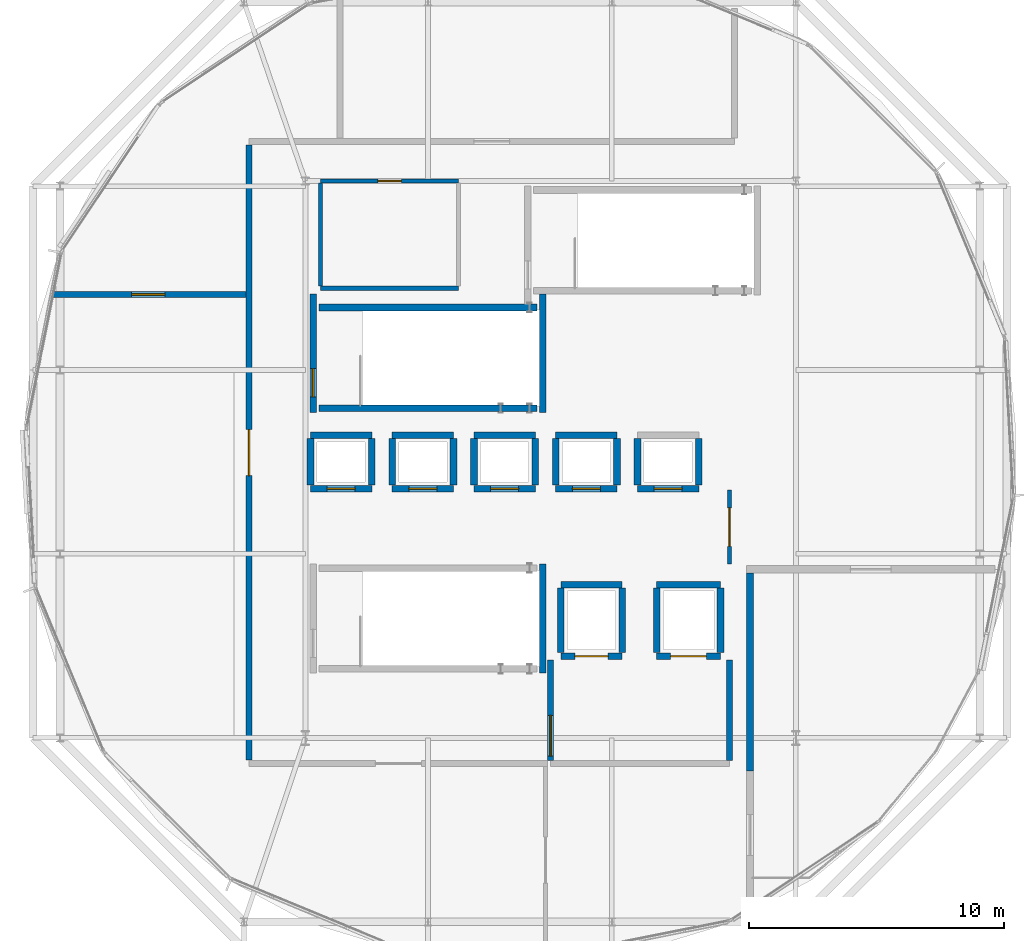
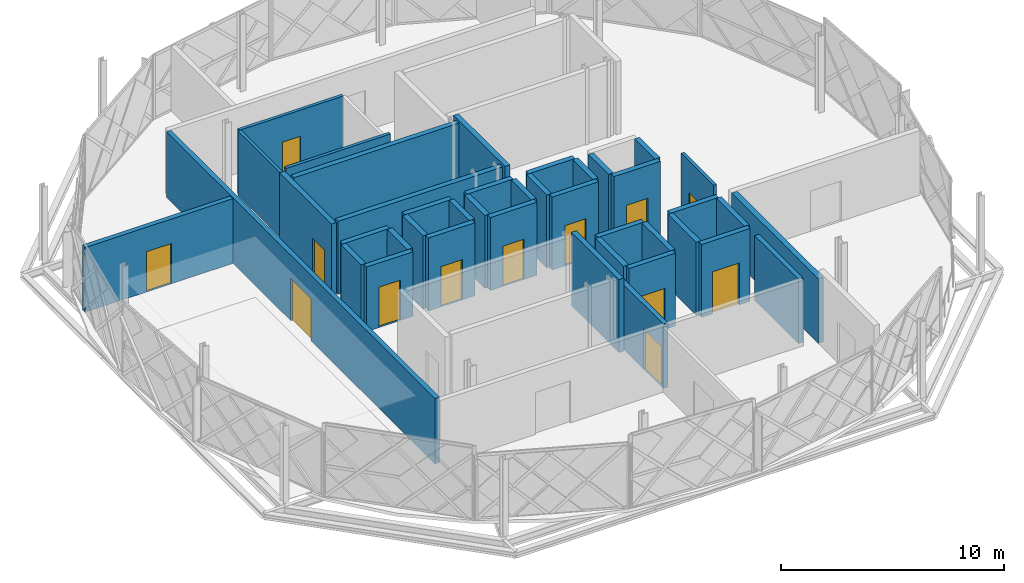
# One storey, part 10 of 15: 41 walls, 13 doors, 13 openings.
"""IFC4 building model written with IfcOpenShell, lengths in metres."""

from ifc_helpers import new_model, si_unit, direction, frame, frame_2d, origin, place, context, subcontext, project, spatial, rectangle, extrude, material, layer, layer_set, type_object, element, fill, save


model = new_model("IFC4")

# Units and contexts
model_context = context("Model", 3, precision=1e-05, world=origin(), true_north=direction((0.0, 1.0)))
body_context = subcontext(model_context, "Body", "Model", "MODEL_VIEW")
ifc_project = project(units=[si_unit("LENGTHUNIT", "METRE"), si_unit("AREAUNIT", "SQUARE_METRE"), si_unit("VOLUMEUNIT", "CUBIC_METRE"), si_unit("PLANEANGLEUNIT", "RADIAN"), si_unit("MASSUNIT", "GRAM", prefix="KILO")], contexts=[model_context])

# Site, building, storey
site_placement = place(None, origin())
site = spatial("IfcSite", under=ifc_project, at=site_placement, CompositionType="ELEMENT")
building_placement = place(site_placement, origin())
building = spatial("IfcBuilding", under=site, at=building_placement, Name="Zevrakil Square Congress Hotel", CompositionType="ELEMENT")
storey_placement = place(building_placement, frame((0.0, 0.0, 41.89990234375)))
storey = spatial("IfcBuildingStorey", under=building, at=storey_placement, Name="L12", CompositionType="ELEMENT", Elevation=41.89990234375)

# Wall, opening, door
ifc_material_1 = material(Name="Concrete C35/45", Category="concrete")
ifc_layer_1 = layer(ifc_material_1, 0.239990234375)
ifc_layer_set_1 = layer_set([ifc_layer_1], Name="Concrete C35/45")
wall_type_1 = type_object("IfcWallType", Name="WAL-COMP-240", PredefinedType="SOLIDWALL", material=ifc_layer_set_1)
wall_1_placement = place(storey_placement, frame((146.39990234375, 15.925048828125, 0.0), z_axis=(0.0, 0.0, 1.0), x_axis=(0.0, 1.0, 0.0)))
wall_1 = element("IfcWall", 1, at=wall_1_placement, inside=storey, type_object=wall_type_1, Name="L12 interior partition PW-L12-1975", PredefinedType="SOLIDWALL", context=body_context, shape_type="SweptSolid", body=[
    extrude(rectangle(XDim=3.925048828125, YDim=0.239990234375, at=frame_2d((1.96240234375, 0.0))), origin(), (0.0, 0.0, 1.0), 3.530029296875),
])
opening_1_placement = place(wall_1_placement, frame((0.159912109375, 0.0, 0.0)))
opening_1 = element("IfcOpeningElement", 2, at=opening_1_placement, cuts=wall_1, Name="Opening FD90-D", PredefinedType="OPENING", context=body_context, shape_type="SweptSolid", body=[
    extrude(rectangle(XDim=1.60009765625, YDim=2.199951171875, at=frame_2d((0.800048828125, 1.10009765625))), frame((0.0, 0.1298828125, 0.0), z_axis=(0.0, -1.0, 0.0), x_axis=(1.0, 0.0, 0.0)), (0.0, 0.0, 1.0), 0.260009765625),
])
ifc_material_2 = material(Name="Steel S355 Double Fire Door", Category="steel")
door_type_1 = type_object("IfcDoorType", Name="DOR-FFLOB-FD90-160", OperationType="NOTDEFINED", PredefinedType="DOOR", material=ifc_material_2)
door_1_placement = place(opening_1_placement, origin())
door_1 = element("IfcDoor", 3, at=door_1_placement, inside=storey, type_object=door_type_1, Name="L12 interior door 766", OperationType="DOUBLE_DOOR_SINGLE_SWING", OverallHeight=2.199951171875, OverallWidth=1.60009765625, PredefinedType="DOOR", context=body_context, shape_type="SweptSolid", body=[
    extrude(rectangle(XDim=1.60009765625, YDim=2.199951171875, at=frame_2d((0.800048828125, 1.10009765625))), frame((0.0, 0.02490234375, 0.0), z_axis=(0.0, -1.0, 0.0), x_axis=(1.0, 0.0, 0.0)), (0.0, 0.0, 1.0), 0.050048828125),
])
fill(opening_1, door_1)

# Wall
wall_2_placement = place(storey_placement, frame((153.39990234375, 15.925048828125, 0.0), z_axis=(0.0, 0.0, 1.0), x_axis=(0.0, 1.0, 0.0)))
element("IfcWall", 4, at=wall_2_placement, inside=storey, type_object=wall_type_1, Name="L12 interior partition PW-L12-1976", PredefinedType="SOLIDWALL", context=body_context, shape_type="SweptSolid", body=[
    extrude(rectangle(XDim=3.925048828125, YDim=0.239990234375, at=frame_2d((1.96240234375, 0.0))), origin(), (0.0, 0.0, 1.0), 3.530029296875),
])

# Wall, opening, door
wall_3_placement = place(storey_placement, frame((134.60009765625, 15.925048828125, 0.0), z_axis=(0.0, 0.0, 1.0), x_axis=(0.0, 1.0, 0.0)))
wall_3 = element("IfcWall", 5, at=wall_3_placement, inside=storey, type_object=wall_type_1, Name="L12 interior partition PW-L12-1982", PredefinedType="SOLIDWALL", context=body_context, shape_type="SweptSolid", body=[
    extrude(rectangle(XDim=24.074951171875, YDim=0.239990234375, at=frame_2d((12.03759765625, 0.0))), origin(), (0.0, 0.0, 1.0), 3.580078125),
])
opening_2_placement = place(wall_3_placement, frame((11.137451171875, 0.0, 0.0)))
opening_2 = element("IfcOpeningElement", 6, at=opening_2_placement, cuts=wall_3, Name="Opening ID-04", PredefinedType="OPENING", context=body_context, shape_type="SweptSolid", body=[
    extrude(rectangle(XDim=1.800048828125, YDim=2.300048828125, at=frame_2d((0.89990234375, 1.14990234375))), frame((0.0, 0.1298828125, 0.0), z_axis=(0.0, -1.0, 0.0), x_axis=(1.0, 0.0, 0.0)), (0.0, 0.0, 1.0), 0.260009765625),
])
ifc_material_3 = material(Name="Diplomatic Boardroom Double Door")
door_type_2 = type_object("IfcDoorType", Name="DOR-MTG-180", OperationType="NOTDEFINED", PredefinedType="DOOR", material=ifc_material_3)
door_2_placement = place(opening_2_placement, origin())
door_2 = element("IfcDoor", 7, at=door_2_placement, inside=storey, type_object=door_type_2, Name="L12 interior door 769", OperationType="DOUBLE_DOOR_SINGLE_SWING", OverallHeight=2.300048828125, OverallWidth=1.800048828125, PredefinedType="DOOR", context=body_context, shape_type="SweptSolid", body=[
    extrude(rectangle(XDim=1.800048828125, YDim=2.300048828125, at=frame_2d((0.89990234375, 1.14990234375))), frame((0.0, 0.02490234375, 0.0), z_axis=(0.0, -1.0, 0.0), x_axis=(1.0, 0.0, 0.0)), (0.0, 0.0, 1.0), 0.050048828125),
])
fill(opening_2, door_2)

wall_4_placement = place(storey_placement, frame((126.8291015625, 34.14990234375, 0.0), z_axis=(0.0, 0.0, 1.0), x_axis=(1.0, 0.0, 0.0)))
wall_4 = element("IfcWall", 8, at=wall_4_placement, inside=storey, type_object=wall_type_1, Name="L12 interior partition PW-L12-1985", PredefinedType="SOLIDWALL", context=body_context, shape_type="SweptSolid", body=[
    extrude(rectangle(XDim=7.640869140625, YDim=0.239990234375, at=frame_2d((3.8203125, 0.0))), origin(), (0.0, 0.0, 1.0), 3.5400390625),
])
opening_3_placement = place(wall_4_placement, frame((3.17041015625, 0.0, 0.0)))
opening_3 = element("IfcOpeningElement", 9, at=opening_3_placement, cuts=wall_4, Name="Opening ID-08", PredefinedType="OPENING", context=body_context, shape_type="SweptSolid", body=[
    extrude(rectangle(XDim=1.300048828125, YDim=2.199951171875, at=frame_2d((0.64990234375, 1.10009765625))), frame((0.0, 0.1298828125, 0.0), z_axis=(0.0, -1.0, 0.0), x_axis=(1.0, 0.0, 0.0)), (0.0, 0.0, 1.0), 0.260009765625),
])
ifc_material_4 = material(Name="Service Corridor Leaf-and-Half Door")
door_type_3 = type_object("IfcDoorType", Name="DOR-BOH-130", OperationType="NOTDEFINED", PredefinedType="DOOR", material=ifc_material_4)
door_3_placement = place(opening_3_placement, origin())
door_3 = element("IfcDoor", 10, at=door_3_placement, inside=storey, type_object=door_type_3, Name="L12 interior door 772", OperationType="SINGLE_SWING_RIGHT", OverallHeight=2.199951171875, OverallWidth=1.300048828125, PredefinedType="DOOR", context=body_context, shape_type="SweptSolid", body=[
    extrude(rectangle(XDim=1.300048828125, YDim=2.199951171875, at=frame_2d((0.64990234375, 1.10009765625))), frame((0.0, 0.02490234375, 0.0), z_axis=(0.0, -1.0, 0.0), x_axis=(1.0, 0.0, 0.0)), (0.0, 0.0, 1.0), 0.050048828125),
])
fill(opening_3, door_3)

# Wall
ifc_material_5 = material(Name="Gypsum Acoustic Stud Partition")
ifc_layer_2 = layer(ifc_material_5, 0.159912109375)
ifc_layer_set_2 = layer_set([ifc_layer_2], Name="Gypsum Acoustic Stud Partition")
wall_type_2 = type_object("IfcWallType", Name="WAL-CORR-160", PredefinedType="PARTITIONING", material=ifc_layer_set_2)
wall_5_placement = place(storey_placement, frame((137.39990234375, 34.39990234375, 0.0), z_axis=(0.0, 0.0, 1.0), x_axis=(1.0, 0.0, 0.0)))
element("IfcWall", 11, at=wall_5_placement, inside=storey, type_object=wall_type_2, Name="L12 interior partition PW-L12-1977", PredefinedType="PARTITIONING", context=body_context, shape_type="SweptSolid", body=[
    extrude(rectangle(XDim=5.400146484375, YDim=0.159912109375, at=frame_2d((2.7001953125, 0.0))), origin(), (0.0, 0.0, 1.0), 3.9951171875),
])

# Wall, opening, door
wall_6_placement = place(storey_placement, frame((137.39990234375, 38.60009765625, 0.0), z_axis=(0.0, 0.0, 1.0), x_axis=(1.0, 0.0, 0.0)))
wall_6 = element("IfcWall", 12, at=wall_6_placement, inside=storey, type_object=wall_type_2, Name="L12 interior partition PW-L12-1978", PredefinedType="PARTITIONING", context=body_context, shape_type="SweptSolid", body=[
    extrude(rectangle(XDim=5.400146484375, YDim=0.159912109375, at=frame_2d((2.7001953125, 0.0))), origin(), (0.0, 0.0, 1.0), 3.530029296875),
])
opening_4_placement = place(wall_6_placement, frame((2.239990234375, 0.0, 0.0)))
opening_4 = element("IfcOpeningElement", 13, at=opening_4_placement, cuts=wall_6, Name="Opening ID-07", PredefinedType="OPENING", context=body_context, shape_type="SweptSolid", body=[
    extrude(rectangle(XDim=0.919921875, YDim=2.10009765625, at=frame_2d((0.4599609375, 1.050048828125))), frame((0.0, 0.08984375, 0.0), z_axis=(0.0, -1.0, 0.0), x_axis=(1.0, 0.0, 0.0)), (0.0, 0.0, 1.0), 0.179931640625),
])
ifc_material_6 = material(Name="Accessible Restroom Door")
door_type_4 = type_object("IfcDoorType", Name="DOR-WC-092", OperationType="NOTDEFINED", PredefinedType="DOOR", material=ifc_material_6)
door_4_placement = place(opening_4_placement, origin())
door_4 = element("IfcDoor", 14, at=door_4_placement, inside=storey, type_object=door_type_4, Name="L12 interior door 767", OperationType="SINGLE_SWING_LEFT", OverallHeight=2.10009765625, OverallWidth=0.919921875, PredefinedType="DOOR", context=body_context, shape_type="SweptSolid", body=[
    extrude(rectangle(XDim=0.919921875, YDim=2.10009765625, at=frame_2d((0.4599609375, 1.050048828125))), frame((0.0, 0.02490234375, 0.0), z_axis=(0.0, -1.0, 0.0), x_axis=(1.0, 0.0, 0.0)), (0.0, 0.0, 1.0), 0.050048828125),
])
fill(opening_4, door_4)

# Wall
wall_7_placement = place(storey_placement, frame((137.39990234375, 34.485107421875, 0.0), z_axis=(0.0, 0.0, 1.0), x_axis=(0.0, 1.0, 0.0)))
element("IfcWall", 15, at=wall_7_placement, inside=storey, type_object=wall_type_2, Name="L12 interior partition PW-L12-1979", PredefinedType="PARTITIONING", context=body_context, shape_type="SweptSolid", body=[
    extrude(rectangle(XDim=4.02978515625, YDim=0.159912109375, at=frame_2d((2.014892578125, 0.0))), origin(), (0.0, 0.0, 1.0), 3.530029296875),
])

# Wall, opening, door
wall_8_placement = place(storey_placement, frame((153.39990234375, 23.60009765625, 0.0), z_axis=(0.0, 0.0, 1.0), x_axis=(0.0, 1.0, 0.0)))
wall_8 = element("IfcWall", 16, at=wall_8_placement, inside=storey, type_object=wall_type_2, Name="L12 interior partition PW-L12-1984", PredefinedType="PARTITIONING", context=body_context, shape_type="SweptSolid", body=[
    extrude(rectangle(XDim=2.89990234375, YDim=0.159912109375, at=frame_2d((1.449951171875, 0.0))), origin(), (0.0, 0.0, 1.0), 3.9951171875),
])
opening_5_placement = place(wall_8_placement, frame((0.699951171875, 0.0, 0.0)))
opening_5 = element("IfcOpeningElement", 17, at=opening_5_placement, cuts=wall_8, Name="Opening ID-03", PredefinedType="OPENING", context=body_context, shape_type="SweptSolid", body=[
    extrude(rectangle(XDim=1.5, YDim=2.25, at=frame_2d((0.75, 1.125))), frame((0.0, 0.08984375, 0.0), z_axis=(0.0, -1.0, 0.0), x_axis=(1.0, 0.0, 0.0)), (0.0, 0.0, 1.0), 0.179931640625),
])
ifc_material_7 = material(Name="Acoustic Double Meeting Door")
door_type_5 = type_object("IfcDoorType", Name="DOR-MTG-150", OperationType="NOTDEFINED", PredefinedType="DOOR", material=ifc_material_7)
door_5_placement = place(opening_5_placement, origin())
door_5 = element("IfcDoor", 18, at=door_5_placement, inside=storey, type_object=door_type_5, Name="L12 interior door 771", OperationType="DOUBLE_DOOR_SINGLE_SWING", OverallHeight=2.25, OverallWidth=1.5, PredefinedType="DOOR", context=body_context, shape_type="SweptSolid", body=[
    extrude(rectangle(XDim=1.5, YDim=2.25, at=frame_2d((0.75, 1.125))), frame((0.0, 0.02490234375, 0.0), z_axis=(0.0, -1.0, 0.0), x_axis=(1.0, 0.0, 0.0)), (0.0, 0.0, 1.0), 0.050048828125),
])
fill(opening_5, door_5)

# Walls
ifc_material_8 = material(Name="Precast concrete C40/50", Category="concrete")
ifc_layer_3 = layer(ifc_material_8, 0.280029296875)
ifc_layer_set_3 = layer_set([ifc_layer_3], Name="Precast concrete C40/50")
wall_type_3 = type_object("IfcWallType", Name="WAL-EXT-PAV-280", PredefinedType="SOLIDWALL", material=ifc_layer_set_3)
wall_9_placement = place(storey_placement, frame((154.199951171875, 15.5029296875, 0.0), z_axis=(0.0, 0.0, 1.0), x_axis=(0.0, 1.0, 0.0)))
element("IfcWall", 19, at=wall_9_placement, inside=storey, type_object=wall_type_3, Name="L12 exterior GRC wall EW-L12-0139", PredefinedType="SOLIDWALL", context=body_context, shape_type="SweptSolid", body=[
    extrude(rectangle(XDim=7.751953125, YDim=0.280029296875, at=frame_2d((3.8759765625, 0.0))), origin(), (0.0, 0.0, 1.0), 3.530029296875),
])
ifc_material_9 = material(Name="Concrete C40/50", Category="concrete")
ifc_layer_4 = layer(ifc_material_9, 0.260009765625)
ifc_layer_set_4 = layer_set([ifc_layer_4], Name="Concrete C40/50")
wall_type_4 = type_object("IfcWallType", Name="WAL-SHAFT-260", PredefinedType="SHEAR", material=ifc_layer_set_4)
wall_10_placement = place(storey_placement, frame((146.094970703125, 19.340087890625, 0.0), z_axis=(0.0, 0.0, 1.0), x_axis=(0.0, 1.0, 0.0)))
element("IfcWall", 20, at=wall_10_placement, inside=storey, type_object=wall_type_4, Name="L12 ST01 stair shaft E wall", PredefinedType="SHEAR", context=body_context, shape_type="SweptSolid", body=[
    extrude(rectangle(XDim=4.27001953125, YDim=0.260009765625, at=frame_2d((2.135009765625, 0.0))), origin(), (0.0, 0.0, 1.0), 3.9951171875),
])

# Wall, opening, door
wall_11_placement = place(storey_placement, frame((137.10498046875, 29.5400390625, 0.0), z_axis=(0.0, 0.0, 1.0), x_axis=(0.0, 1.0, 0.0)))
wall_11 = element("IfcWall", 21, at=wall_11_placement, inside=storey, type_object=wall_type_4, Name="L12 ST02 stair shaft W wall", PredefinedType="SHEAR", context=body_context, shape_type="SweptSolid", body=[
    extrude(rectangle(XDim=4.635009765625, YDim=0.260009765625, at=frame_2d((2.3173828125, 0.0))), origin(), (0.0, 0.0, 1.0), 3.9951171875),
])
opening_6_placement = place(wall_11_placement, frame((0.610107421875, 0.0, 0.0)))
opening_6 = element("IfcOpeningElement", 22, at=opening_6_placement, cuts=wall_11, Name="Opening SD-ST02", PredefinedType="OPENING", context=body_context, shape_type="SweptSolid", body=[
    extrude(rectangle(XDim=1.10009765625, YDim=2.199951171875, at=frame_2d((0.550048828125, 1.10009765625))), frame((0.0, 0.14013671875, 0.0), z_axis=(0.0, -1.0, 0.0), x_axis=(1.0, 0.0, 0.0)), (0.0, 0.0, 1.0), 0.280029296875),
])
ifc_material_10 = material(Name="Steel S355 Fire-Rated Door", Category="steel")
door_type_6 = type_object("IfcDoorType", Name="DOR-STAIR-FD90-110", OperationType="NOTDEFINED", PredefinedType="DOOR", material=ifc_material_10)
door_6_placement = place(opening_6_placement, origin())
door_6 = element("IfcDoor", 23, at=door_6_placement, inside=storey, type_object=door_type_6, Name="L12 ST02 protected stair fire door", OperationType="SINGLE_SWING_LEFT", OverallHeight=2.199951171875, OverallWidth=1.10009765625, PredefinedType="DOOR", context=body_context, shape_type="SweptSolid", body=[
    extrude(rectangle(XDim=1.10009765625, YDim=2.199951171875, at=frame_2d((0.550048828125, 1.10009765625))), frame((0.0, 0.02490234375, 0.0), z_axis=(0.0, -1.0, 0.0), x_axis=(1.0, 0.0, 0.0)), (0.0, 0.0, 1.0), 0.050048828125),
])
fill(opening_6, door_6)

# Walls
wall_12_placement = place(storey_placement, frame((146.094970703125, 29.5400390625, 0.0), z_axis=(0.0, 0.0, 1.0), x_axis=(0.0, 1.0, 0.0)))
element("IfcWall", 24, at=wall_12_placement, inside=storey, type_object=wall_type_4, Name="L12 ST02 stair shaft E wall", PredefinedType="SHEAR", context=body_context, shape_type="SweptSolid", body=[
    extrude(rectangle(XDim=4.635009765625, YDim=0.260009765625, at=frame_2d((2.3173828125, 0.0))), origin(), (0.0, 0.0, 1.0), 3.9951171875),
])
for number, where, z_axis, x_axis, name in (
    (25, (137.340087890625, 29.705078125, 0.0), (0.0, 0.0, 1.0), (1.0, 0.0, 0.0), "L12 ST02 stair shaft S wall"),
    (26, (137.340087890625, 33.64501953125, 0.0), (0.0, 0.0, 1.0), (1.0, 0.0, 0.0), "L12 ST02 stair shaft N wall"),
):
    element("IfcWall", number, at=place(storey_placement, frame(where, z_axis=z_axis, x_axis=x_axis)), inside=storey, type_object=wall_type_4, Name=name, PredefinedType="SHEAR", context=body_context, shape_type="SweptSolid", body=[
        extrude(rectangle(XDim=8.52001953125, YDim=0.260009765625, at=frame_2d((4.260009765625, 0.0))), origin(), (0.0, 0.0, 1.0), 3.9951171875),
    ])

# Wall, opening, door
wall_13_placement = place(storey_placement, frame((137.0, 26.550048828125, 0.0), z_axis=(0.0, 0.0, 1.0), x_axis=(1.0, 0.0, 0.0)))
wall_13 = element("IfcWall", 27, at=wall_13_placement, inside=storey, type_object=wall_type_4, Name="L12 HL1 lift shaft wall", PredefinedType="SHEAR", context=body_context, shape_type="SweptSolid", body=[
    extrude(rectangle(XDim=2.39990234375, YDim=0.260009765625, at=frame_2d((1.199951171875, 0.0))), origin(), (0.0, 0.0, 1.0), 3.530029296875),
])
opening_7_placement = place(wall_13_placement, frame((0.64990234375, 0.0, 0.0)))
opening_7 = element("IfcOpeningElement", 28, at=opening_7_placement, cuts=wall_13, Name="Opening LD-HL1", PredefinedType="OPENING", context=body_context, shape_type="SweptSolid", body=[
    extrude(rectangle(XDim=1.10009765625, YDim=2.199951171875, at=frame_2d((0.550048828125, 1.10009765625))), frame((0.0, 0.14013671875, 0.0), z_axis=(0.0, -1.0, 0.0), x_axis=(1.0, 0.0, 0.0)), (0.0, 0.0, 1.0), 0.280029296875),
])
ifc_material_11 = material(Name="Stainless Steel Sliding Lift Landing Door", Category="steel")
door_type_7 = type_object("IfcDoorType", Name="DOR-LIFT-LD110", OperationType="NOTDEFINED", PredefinedType="DOOR", material=ifc_material_11)
door_7_placement = place(opening_7_placement, origin())
door_7 = element("IfcDoor", 29, at=door_7_placement, inside=storey, type_object=door_type_7, Name="L12 HL1 sliding lift landing door", OperationType="SLIDING_TO_LEFT", OverallHeight=2.199951171875, OverallWidth=1.10009765625, PredefinedType="DOOR", context=body_context, shape_type="SweptSolid", body=[
    extrude(rectangle(XDim=1.10009765625, YDim=2.199951171875, at=frame_2d((0.550048828125, 1.10009765625))), frame((0.0, 0.02490234375, 0.0), z_axis=(0.0, -1.0, 0.0), x_axis=(1.0, 0.0, 0.0)), (0.0, 0.0, 1.0), 0.050048828125),
])
fill(opening_7, door_7)

# Walls
wall_14_placement = place(storey_placement, frame((137.0, 28.64990234375, 0.0), z_axis=(0.0, 0.0, 1.0), x_axis=(1.0, 0.0, 0.0)))
element("IfcWall", 30, at=wall_14_placement, inside=storey, type_object=wall_type_4, Name="L12 HL1 lift shaft wall", PredefinedType="SHEAR", context=body_context, shape_type="SweptSolid", body=[
    extrude(rectangle(XDim=2.39990234375, YDim=0.260009765625, at=frame_2d((1.199951171875, 0.0))), origin(), (0.0, 0.0, 1.0), 3.530029296875),
])
for number, where, z_axis, x_axis, name in (
    (31, (137.0, 26.68994140625, 0.0), (0.0, 0.0, 1.0), (0.0, 1.0, 0.0), "L12 HL1 lift shaft wall"),
    (32, (139.39990234375, 26.68994140625, 0.0), (0.0, 0.0, 1.0), (0.0, 1.0, 0.0), "L12 HL1 lift shaft wall"),
):
    element("IfcWall", number, at=place(storey_placement, frame(where, z_axis=z_axis, x_axis=x_axis)), inside=storey, type_object=wall_type_4, Name=name, PredefinedType="SHEAR", context=body_context, shape_type="SweptSolid", body=[
        extrude(rectangle(XDim=1.820068359375, YDim=0.260009765625, at=frame_2d((0.91015625, 0.0))), origin(), (0.0, 0.0, 1.0), 3.530029296875),
    ])

# Wall, opening, door
wall_15_placement = place(storey_placement, frame((140.199951171875, 26.550048828125, 0.0), z_axis=(0.0, 0.0, 1.0), x_axis=(1.0, 0.0, 0.0)))
wall_15 = element("IfcWall", 33, at=wall_15_placement, inside=storey, type_object=wall_type_4, Name="L12 HL2 lift shaft wall", PredefinedType="SHEAR", context=body_context, shape_type="SweptSolid", body=[
    extrude(rectangle(XDim=2.400146484375, YDim=0.260009765625, at=frame_2d((1.2001953125, 0.0))), origin(), (0.0, 0.0, 1.0), 3.9951171875),
])
opening_8_placement = place(wall_15_placement, frame((0.64990234375, 0.0, 0.0)))
opening_8 = element("IfcOpeningElement", 34, at=opening_8_placement, cuts=wall_15, Name="Opening LD-HL2", PredefinedType="OPENING", context=body_context, shape_type="SweptSolid", body=[
    extrude(rectangle(XDim=1.10009765625, YDim=2.199951171875, at=frame_2d((0.550048828125, 1.10009765625))), frame((0.0, 0.14013671875, 0.0), z_axis=(0.0, -1.0, 0.0), x_axis=(1.0, 0.0, 0.0)), (0.0, 0.0, 1.0), 0.280029296875),
])
door_8_placement = place(opening_8_placement, origin())
door_8 = element("IfcDoor", 35, at=door_8_placement, inside=storey, type_object=door_type_7, Name="L12 HL2 sliding lift landing door", OperationType="SLIDING_TO_RIGHT", OverallHeight=2.199951171875, OverallWidth=1.10009765625, PredefinedType="DOOR", context=body_context, shape_type="SweptSolid", body=[
    extrude(rectangle(XDim=1.10009765625, YDim=2.199951171875, at=frame_2d((0.550048828125, 1.10009765625))), frame((0.0, 0.02490234375, 0.0), z_axis=(0.0, -1.0, 0.0), x_axis=(1.0, 0.0, 0.0)), (0.0, 0.0, 1.0), 0.050048828125),
])
fill(opening_8, door_8)

# Walls
wall_16_placement = place(storey_placement, frame((140.199951171875, 28.64990234375, 0.0), z_axis=(0.0, 0.0, 1.0), x_axis=(1.0, 0.0, 0.0)))
element("IfcWall", 36, at=wall_16_placement, inside=storey, type_object=wall_type_4, Name="L12 HL2 lift shaft wall", PredefinedType="SHEAR", context=body_context, shape_type="SweptSolid", body=[
    extrude(rectangle(XDim=2.400146484375, YDim=0.260009765625, at=frame_2d((1.2001953125, 0.0))), origin(), (0.0, 0.0, 1.0), 3.9951171875),
])
for number, where, z_axis, x_axis, name in (
    (37, (140.199951171875, 26.68994140625, 0.0), (0.0, 0.0, 1.0), (0.0, 1.0, 0.0), "L12 HL2 lift shaft wall"),
    (38, (142.60009765625, 26.68994140625, 0.0), (0.0, 0.0, 1.0), (0.0, 1.0, 0.0), "L12 HL2 lift shaft wall"),
):
    element("IfcWall", number, at=place(storey_placement, frame(where, z_axis=z_axis, x_axis=x_axis)), inside=storey, type_object=wall_type_4, Name=name, PredefinedType="SHEAR", context=body_context, shape_type="SweptSolid", body=[
        extrude(rectangle(XDim=1.820068359375, YDim=0.260009765625, at=frame_2d((0.91015625, 0.0))), origin(), (0.0, 0.0, 1.0), 3.9951171875),
    ])

# Wall, opening, door
wall_17_placement = place(storey_placement, frame((143.39990234375, 26.550048828125, 0.0), z_axis=(0.0, 0.0, 1.0), x_axis=(1.0, 0.0, 0.0)))
wall_17 = element("IfcWall", 39, at=wall_17_placement, inside=storey, type_object=wall_type_4, Name="L12 HL3 lift shaft wall", PredefinedType="SHEAR", context=body_context, shape_type="SweptSolid", body=[
    extrude(rectangle(XDim=2.400146484375, YDim=0.260009765625, at=frame_2d((1.2001953125, 0.0))), origin(), (0.0, 0.0, 1.0), 3.9951171875),
])
opening_9_placement = place(wall_17_placement, frame((0.64990234375, 0.0, 0.0)))
opening_9 = element("IfcOpeningElement", 40, at=opening_9_placement, cuts=wall_17, Name="Opening LD-HL3", PredefinedType="OPENING", context=body_context, shape_type="SweptSolid", body=[
    extrude(rectangle(XDim=1.10009765625, YDim=2.199951171875, at=frame_2d((0.550048828125, 1.10009765625))), frame((0.0, 0.14013671875, 0.0), z_axis=(0.0, -1.0, 0.0), x_axis=(1.0, 0.0, 0.0)), (0.0, 0.0, 1.0), 0.280029296875),
])
door_9_placement = place(opening_9_placement, origin())
door_9 = element("IfcDoor", 41, at=door_9_placement, inside=storey, type_object=door_type_7, Name="L12 HL3 sliding lift landing door", OperationType="SLIDING_TO_LEFT", OverallHeight=2.199951171875, OverallWidth=1.10009765625, PredefinedType="DOOR", context=body_context, shape_type="SweptSolid", body=[
    extrude(rectangle(XDim=1.10009765625, YDim=2.199951171875, at=frame_2d((0.550048828125, 1.10009765625))), frame((0.0, 0.02490234375, 0.0), z_axis=(0.0, -1.0, 0.0), x_axis=(1.0, 0.0, 0.0)), (0.0, 0.0, 1.0), 0.050048828125),
])
fill(opening_9, door_9)

# Walls
wall_18_placement = place(storey_placement, frame((143.39990234375, 28.64990234375, 0.0), z_axis=(0.0, 0.0, 1.0), x_axis=(1.0, 0.0, 0.0)))
element("IfcWall", 42, at=wall_18_placement, inside=storey, type_object=wall_type_4, Name="L12 HL3 lift shaft wall", PredefinedType="SHEAR", context=body_context, shape_type="SweptSolid", body=[
    extrude(rectangle(XDim=2.400146484375, YDim=0.260009765625, at=frame_2d((1.2001953125, 0.0))), origin(), (0.0, 0.0, 1.0), 3.9951171875),
])
for number, where, z_axis, x_axis, name in (
    (43, (143.39990234375, 26.68994140625, 0.0), (0.0, 0.0, 1.0), (0.0, 1.0, 0.0), "L12 HL3 lift shaft wall"),
    (44, (145.800048828125, 26.68994140625, 0.0), (0.0, 0.0, 1.0), (0.0, 1.0, 0.0), "L12 HL3 lift shaft wall"),
):
    element("IfcWall", number, at=place(storey_placement, frame(where, z_axis=z_axis, x_axis=x_axis)), inside=storey, type_object=wall_type_4, Name=name, PredefinedType="SHEAR", context=body_context, shape_type="SweptSolid", body=[
        extrude(rectangle(XDim=1.820068359375, YDim=0.260009765625, at=frame_2d((0.91015625, 0.0))), origin(), (0.0, 0.0, 1.0), 3.9951171875),
    ])

# Wall, opening, door
wall_19_placement = place(storey_placement, frame((146.60009765625, 26.550048828125, 0.0), z_axis=(0.0, 0.0, 1.0), x_axis=(1.0, 0.0, 0.0)))
wall_19 = element("IfcWall", 45, at=wall_19_placement, inside=storey, type_object=wall_type_4, Name="L12 HL4 lift shaft wall", PredefinedType="SHEAR", context=body_context, shape_type="SweptSolid", body=[
    extrude(rectangle(XDim=2.39990234375, YDim=0.260009765625, at=frame_2d((1.199951171875, 0.0))), origin(), (0.0, 0.0, 1.0), 3.9951171875),
])
opening_10_placement = place(wall_19_placement, frame((0.64990234375, 0.0, 0.0)))
opening_10 = element("IfcOpeningElement", 46, at=opening_10_placement, cuts=wall_19, Name="Opening LD-HL4", PredefinedType="OPENING", context=body_context, shape_type="SweptSolid", body=[
    extrude(rectangle(XDim=1.10009765625, YDim=2.199951171875, at=frame_2d((0.550048828125, 1.10009765625))), frame((0.0, 0.14013671875, 0.0), z_axis=(0.0, -1.0, 0.0), x_axis=(1.0, 0.0, 0.0)), (0.0, 0.0, 1.0), 0.280029296875),
])
door_10_placement = place(opening_10_placement, origin())
door_10 = element("IfcDoor", 47, at=door_10_placement, inside=storey, type_object=door_type_7, Name="L12 HL4 sliding lift landing door", OperationType="SLIDING_TO_RIGHT", OverallHeight=2.199951171875, OverallWidth=1.10009765625, PredefinedType="DOOR", context=body_context, shape_type="SweptSolid", body=[
    extrude(rectangle(XDim=1.10009765625, YDim=2.199951171875, at=frame_2d((0.550048828125, 1.10009765625))), frame((0.0, 0.02490234375, 0.0), z_axis=(0.0, -1.0, 0.0), x_axis=(1.0, 0.0, 0.0)), (0.0, 0.0, 1.0), 0.050048828125),
])
fill(opening_10, door_10)

# Walls
wall_20_placement = place(storey_placement, frame((146.60009765625, 28.64990234375, 0.0), z_axis=(0.0, 0.0, 1.0), x_axis=(1.0, 0.0, 0.0)))
element("IfcWall", 48, at=wall_20_placement, inside=storey, type_object=wall_type_4, Name="L12 HL4 lift shaft wall", PredefinedType="SHEAR", context=body_context, shape_type="SweptSolid", body=[
    extrude(rectangle(XDim=2.39990234375, YDim=0.260009765625, at=frame_2d((1.199951171875, 0.0))), origin(), (0.0, 0.0, 1.0), 3.9951171875),
])
for number, where, z_axis, x_axis, name in (
    (49, (146.60009765625, 26.68994140625, 0.0), (0.0, 0.0, 1.0), (0.0, 1.0, 0.0), "L12 HL4 lift shaft wall"),
    (50, (149.0, 26.68994140625, 0.0), (0.0, 0.0, 1.0), (0.0, 1.0, 0.0), "L12 HL4 lift shaft wall"),
):
    element("IfcWall", number, at=place(storey_placement, frame(where, z_axis=z_axis, x_axis=x_axis)), inside=storey, type_object=wall_type_4, Name=name, PredefinedType="SHEAR", context=body_context, shape_type="SweptSolid", body=[
        extrude(rectangle(XDim=1.820068359375, YDim=0.260009765625, at=frame_2d((0.91015625, 0.0))), origin(), (0.0, 0.0, 1.0), 3.9951171875),
    ])

# Wall, opening, door
wall_21_placement = place(storey_placement, frame((149.800048828125, 26.550048828125, 0.0), z_axis=(0.0, 0.0, 1.0), x_axis=(1.0, 0.0, 0.0)))
wall_21 = element("IfcWall", 51, at=wall_21_placement, inside=storey, type_object=wall_type_4, Name="L12 HL5 lift shaft wall", PredefinedType="SHEAR", context=body_context, shape_type="SweptSolid", body=[
    extrude(rectangle(XDim=2.39990234375, YDim=0.260009765625, at=frame_2d((1.199951171875, 0.0))), origin(), (0.0, 0.0, 1.0), 3.9951171875),
])
opening_11_placement = place(wall_21_placement, frame((0.64990234375, 0.0, 0.0)))
opening_11 = element("IfcOpeningElement", 52, at=opening_11_placement, cuts=wall_21, Name="Opening LD-HL5", PredefinedType="OPENING", context=body_context, shape_type="SweptSolid", body=[
    extrude(rectangle(XDim=1.10009765625, YDim=2.199951171875, at=frame_2d((0.550048828125, 1.10009765625))), frame((0.0, 0.14013671875, 0.0), z_axis=(0.0, -1.0, 0.0), x_axis=(1.0, 0.0, 0.0)), (0.0, 0.0, 1.0), 0.280029296875),
])
door_11_placement = place(opening_11_placement, origin())
door_11 = element("IfcDoor", 53, at=door_11_placement, inside=storey, type_object=door_type_7, Name="L12 HL5 sliding lift landing door", OperationType="SLIDING_TO_LEFT", OverallHeight=2.199951171875, OverallWidth=1.10009765625, PredefinedType="DOOR", context=body_context, shape_type="SweptSolid", body=[
    extrude(rectangle(XDim=1.10009765625, YDim=2.199951171875, at=frame_2d((0.550048828125, 1.10009765625))), frame((0.0, 0.02490234375, 0.0), z_axis=(0.0, -1.0, 0.0), x_axis=(1.0, 0.0, 0.0)), (0.0, 0.0, 1.0), 0.050048828125),
])
fill(opening_11, door_11)

# Walls
for number, where, z_axis, x_axis, name in (
    (54, (149.800048828125, 26.68994140625, 0.0), (0.0, 0.0, 1.0), (0.0, 1.0, 0.0), "L12 HL5 lift shaft wall"),
    (55, (152.199951171875, 26.68994140625, 0.0), (0.0, 0.0, 1.0), (0.0, 1.0, 0.0), "L12 HL5 lift shaft wall"),
):
    element("IfcWall", number, at=place(storey_placement, frame(where, z_axis=z_axis, x_axis=x_axis)), inside=storey, type_object=wall_type_4, Name=name, PredefinedType="SHEAR", context=body_context, shape_type="SweptSolid", body=[
        extrude(rectangle(XDim=1.820068359375, YDim=0.260009765625, at=frame_2d((0.91015625, 0.0))), origin(), (0.0, 0.0, 1.0), 3.9951171875),
    ])

# Wall, opening, door
wall_22_placement = place(storey_placement, frame((146.800048828125, 20.0, 0.0), z_axis=(0.0, 0.0, 1.0), x_axis=(1.0, 0.0, 0.0)))
wall_22 = element("IfcWall", 56, at=wall_22_placement, inside=storey, type_object=wall_type_4, Name="L12 FFL1 lift shaft wall", PredefinedType="SHEAR", context=body_context, shape_type="SweptSolid", body=[
    extrude(rectangle(XDim=2.39990234375, YDim=0.260009765625, at=frame_2d((1.199951171875, 0.0))), origin(), (0.0, 0.0, 1.0), 3.9951171875),
])
opening_12_placement = place(wall_22_placement, frame((0.550048828125, 0.0, 0.0)))
opening_12 = element("IfcOpeningElement", 57, at=opening_12_placement, cuts=wall_22, Name="Opening LD-FFL1", PredefinedType="OPENING", context=body_context, shape_type="SweptSolid", body=[
    extrude(rectangle(XDim=1.300048828125, YDim=2.25, at=frame_2d((0.64990234375, 1.125))), frame((0.0, 0.14013671875, 0.0), z_axis=(0.0, -1.0, 0.0), x_axis=(1.0, 0.0, 0.0)), (0.0, 0.0, 1.0), 0.280029296875),
])
ifc_material_12 = material(Name="Stretcher Firefighting Sliding Landing Door")
door_type_8 = type_object("IfcDoorType", Name="DOR-LIFT-LD130", OperationType="NOTDEFINED", PredefinedType="DOOR", material=ifc_material_12)
door_12_placement = place(opening_12_placement, origin())
door_12 = element("IfcDoor", 58, at=door_12_placement, inside=storey, type_object=door_type_8, Name="L12 FFL1 sliding lift landing door", OperationType="SLIDING_TO_RIGHT", OverallHeight=2.25, OverallWidth=1.300048828125, PredefinedType="DOOR", context=body_context, shape_type="SweptSolid", body=[
    extrude(rectangle(XDim=1.300048828125, YDim=2.25, at=frame_2d((0.64990234375, 1.125))), frame((0.0, 0.02490234375, 0.0), z_axis=(0.0, -1.0, 0.0), x_axis=(1.0, 0.0, 0.0)), (0.0, 0.0, 1.0), 0.050048828125),
])
fill(opening_12, door_12)

# Walls
wall_23_placement = place(storey_placement, frame((146.800048828125, 22.800048828125, 0.0), z_axis=(0.0, 0.0, 1.0), x_axis=(1.0, 0.0, 0.0)))
element("IfcWall", 59, at=wall_23_placement, inside=storey, type_object=wall_type_4, Name="L12 FFL1 lift shaft wall", PredefinedType="SHEAR", context=body_context, shape_type="SweptSolid", body=[
    extrude(rectangle(XDim=2.39990234375, YDim=0.260009765625, at=frame_2d((1.199951171875, 0.0))), origin(), (0.0, 0.0, 1.0), 3.9951171875),
])
for number, where, z_axis, x_axis, name in (
    (60, (146.800048828125, 20.139892578125, 0.0), (0.0, 0.0, 1.0), (0.0, 1.0, 0.0), "L12 FFL1 lift shaft wall"),
    (61, (149.199951171875, 20.139892578125, 0.0), (0.0, 0.0, 1.0), (0.0, 1.0, 0.0), "L12 FFL1 lift shaft wall"),
):
    element("IfcWall", number, at=place(storey_placement, frame(where, z_axis=z_axis, x_axis=x_axis)), inside=storey, type_object=wall_type_4, Name=name, PredefinedType="SHEAR", context=body_context, shape_type="SweptSolid", body=[
        extrude(rectangle(XDim=2.52001953125, YDim=0.260009765625, at=frame_2d((1.260009765625, 0.0))), origin(), (0.0, 0.0, 1.0), 3.9951171875),
    ])

# Wall, opening, door
wall_24_placement = place(storey_placement, frame((150.550048828125, 20.0, 0.0), z_axis=(0.0, 0.0, 1.0), x_axis=(1.0, 0.0, 0.0)))
wall_24 = element("IfcWall", 62, at=wall_24_placement, inside=storey, type_object=wall_type_4, Name="L12 SL1 lift shaft wall", PredefinedType="SHEAR", context=body_context, shape_type="SweptSolid", body=[
    extrude(rectangle(XDim=2.5, YDim=0.260009765625, at=frame_2d((1.25, 0.0))), origin(), (0.0, 0.0, 1.0), 3.9951171875),
])
opening_13_placement = place(wall_24_placement, frame((0.550048828125, 0.0, 0.0)))
opening_13 = element("IfcOpeningElement", 63, at=opening_13_placement, cuts=wall_24, Name="Opening LD-SL1", PredefinedType="OPENING", context=body_context, shape_type="SweptSolid", body=[
    extrude(rectangle(XDim=1.39990234375, YDim=2.300048828125, at=frame_2d((0.699951171875, 1.14990234375))), frame((0.0, 0.14013671875, 0.0), z_axis=(0.0, -1.0, 0.0), x_axis=(1.0, 0.0, 0.0)), (0.0, 0.0, 1.0), 0.280029296875),
])
ifc_material_13 = material(Name="Goods Service Sliding Landing Door")
door_type_9 = type_object("IfcDoorType", Name="DOR-LIFT-LD140", OperationType="NOTDEFINED", PredefinedType="DOOR", material=ifc_material_13)
door_13_placement = place(opening_13_placement, origin())
door_13 = element("IfcDoor", 64, at=door_13_placement, inside=storey, type_object=door_type_9, Name="L12 SL1 sliding lift landing door", OperationType="SLIDING_TO_LEFT", OverallHeight=2.300048828125, OverallWidth=1.39990234375, PredefinedType="DOOR", context=body_context, shape_type="SweptSolid", body=[
    extrude(rectangle(XDim=1.39990234375, YDim=2.300048828125, at=frame_2d((0.699951171875, 1.14990234375))), frame((0.0, 0.02490234375, 0.0), z_axis=(0.0, -1.0, 0.0), x_axis=(1.0, 0.0, 0.0)), (0.0, 0.0, 1.0), 0.050048828125),
])
fill(opening_13, door_13)

# Walls
wall_25_placement = place(storey_placement, frame((150.550048828125, 22.800048828125, 0.0), z_axis=(0.0, 0.0, 1.0), x_axis=(1.0, 0.0, 0.0)))
element("IfcWall", 65, at=wall_25_placement, inside=storey, type_object=wall_type_4, Name="L12 SL1 lift shaft wall", PredefinedType="SHEAR", context=body_context, shape_type="SweptSolid", body=[
    extrude(rectangle(XDim=2.5, YDim=0.260009765625, at=frame_2d((1.25, 0.0))), origin(), (0.0, 0.0, 1.0), 3.9951171875),
])
for number, where, z_axis, x_axis, name in (
    (66, (150.550048828125, 20.139892578125, 0.0), (0.0, 0.0, 1.0), (0.0, 1.0, 0.0), "L12 SL1 lift shaft wall"),
    (67, (153.050048828125, 20.139892578125, 0.0), (0.0, 0.0, 1.0), (0.0, 1.0, 0.0), "L12 SL1 lift shaft wall"),
):
    element("IfcWall", number, at=place(storey_placement, frame(where, z_axis=z_axis, x_axis=x_axis)), inside=storey, type_object=wall_type_4, Name=name, PredefinedType="SHEAR", context=body_context, shape_type="SweptSolid", body=[
        extrude(rectangle(XDim=2.52001953125, YDim=0.260009765625, at=frame_2d((1.260009765625, 0.0))), origin(), (0.0, 0.0, 1.0), 3.9951171875),
    ])

save(model, "model.ifc")
